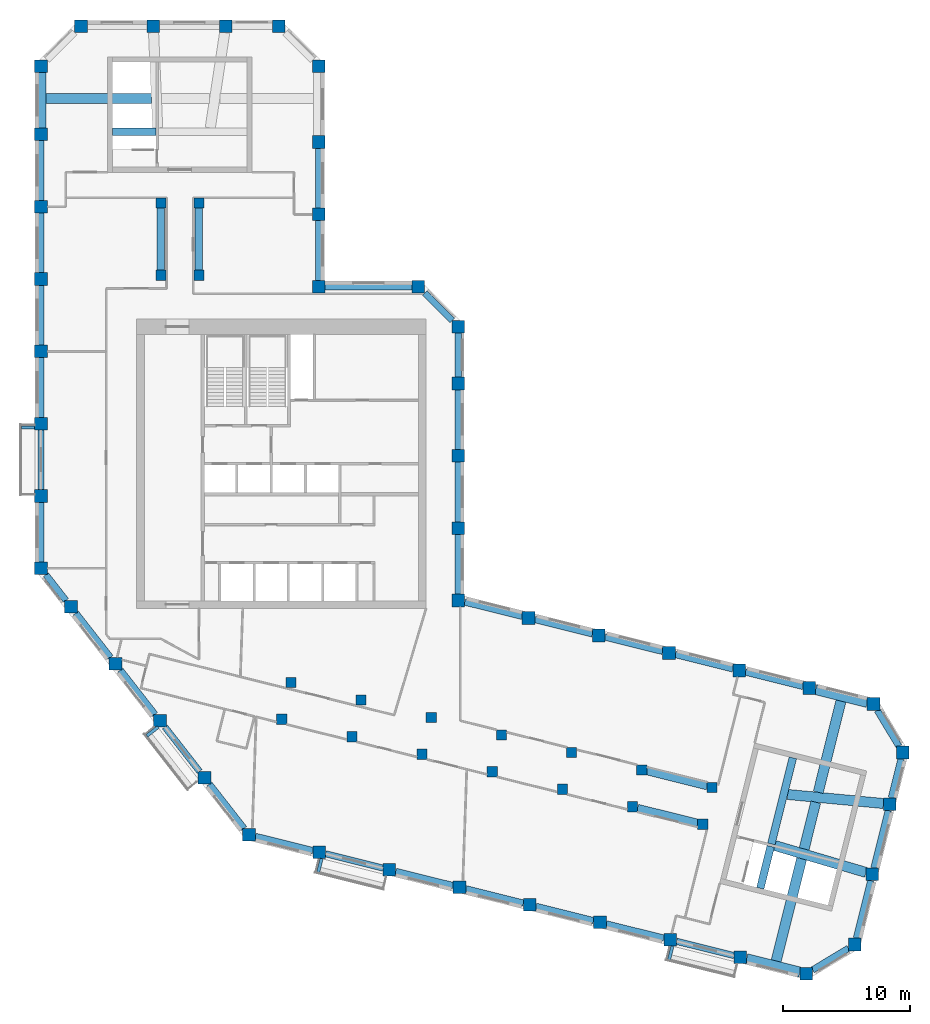
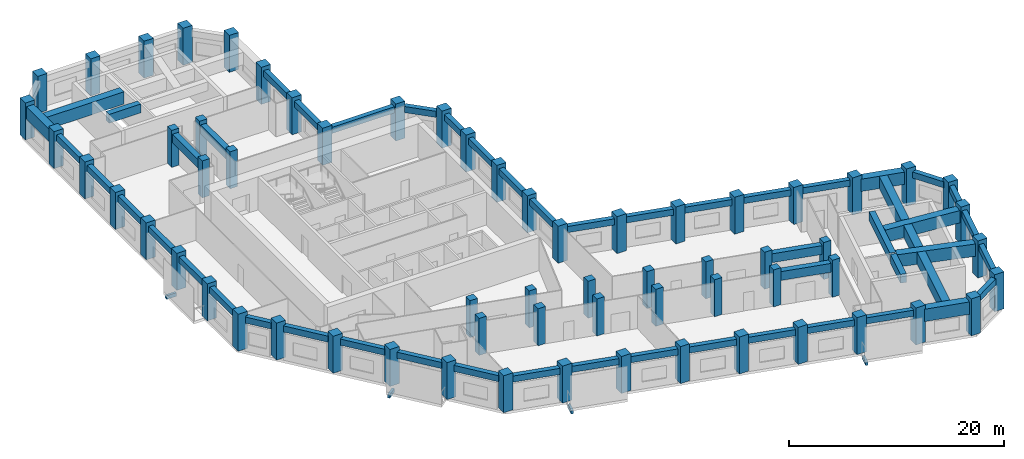
# One storey, part 1 of 9: 63 columns, 56 beams.
"""IFC4 building model written with IfcOpenShell, lengths in metres."""

from ifc_helpers import new_model, si_unit, direction, frame, origin, origin_2d, place, context, subcontext, project, spatial, rectangle, extrude, material, material_profile, profile_set, type_object, element, save


model = new_model("IFC4")

# Units and contexts
model_context = context("Model", 3, precision=1e-05, world=origin(), true_north=direction((0.0, 1.0)))
body_context = subcontext(model_context, "Body", "Model", "MODEL_VIEW")
ifc_project = project(units=[si_unit("LENGTHUNIT", "METRE"), si_unit("AREAUNIT", "SQUARE_METRE"), si_unit("VOLUMEUNIT", "CUBIC_METRE"), si_unit("PLANEANGLEUNIT", "RADIAN"), si_unit("MASSUNIT", "GRAM", prefix="KILO")], contexts=[model_context])

# Site, building, storey
site_placement = place(None, origin())
site = spatial("IfcSite", under=ifc_project, at=site_placement, CompositionType="ELEMENT")
building_placement = place(site_placement, origin())
building = spatial("IfcBuilding", under=site, at=building_placement, Name="Meshkara Civic Tower", CompositionType="ELEMENT")
storey_placement = place(building_placement, frame((0.0, 0.0, 344.39990234375)))
storey = spatial("IfcBuildingStorey", under=building, at=storey_placement, Name="L79", CompositionType="ELEMENT", Elevation=344.39990234375)

# Columns
ifc_material_1 = material(Name="Concrete C60", Category="concrete")
ifc_material_profile_1 = material_profile(ifc_material_1, rectangle(XDim=0.800048828125, YDim=0.800048828125, at=origin_2d()))
ifc_profile_set_1 = profile_set([ifc_material_profile_1], Name="Concrete C60")
column_type_1 = type_object("IfcColumnType", Name="Interior column RC 800x800 C60", PredefinedType="COLUMN", material=ifc_profile_set_1)
for number, where, z_axis, x_axis, name in (
    (1, (9.89990234375, 40.35009765625, 0.0), (0.0, 0.0, 1.0), (1.0, 0.0, 0.0), "Column SA1-04 L79"),
    (2, (9.89990234375, 46.050048828125, 0.0), (0.0, 0.0, 1.0), (1.0, 0.0, 0.0), "Column SA1-05 L79"),
    (3, (12.89990234375, 40.35009765625, 0.0), (0.0, 0.0, 1.0), (1.0, 0.0, 0.0), "Column SA2-04 L79"),
    (4, (12.89990234375, 46.050048828125, 0.0), (0.0, 0.0, 1.0), (1.0, 0.0, 0.0), "Column SA2-05 L79"),
    (5, (19.424072265625, 5.360107421875, 0.0), (0.0, 0.0, 1.0), (1.0, 0.0, 0.0), "Column SB1-00 L79"),
    (6, (24.9541015625, 3.98095703125, 0.0), (0.0, 0.0, 1.0), (1.0, 0.0, 0.0), "Column SB1-01 L79"),
    (7, (30.485107421875, 2.60205078125, 0.0), (0.0, 0.0, 1.0), (1.0, 0.0, 0.0), "Column SB1-02 L79"),
    (8, (36.01611328125, 1.222900390625, 0.0), (0.0, 0.0, 1.0), (1.0, 0.0, 0.0), "Column SB1-03 L79"),
    (9, (41.5458984375, -0.156005859375, 0.0), (0.0, 0.0, 1.0), (1.0, 0.0, 0.0), "Column SB1-04 L79"),
    (10, (47.076904296875, -1.534912109375, 0.0), (0.0, 0.0, 1.0), (1.0, 0.0, 0.0), "Column SB1-05 L79"),
    (11, (52.60791015625, -2.9140625, 0.0), (0.0, 0.0, 1.0), (1.0, 0.0, 0.0), "Column SB1-06 L79"),
    (12, (20.14892578125, 8.27099609375, 0.0), (0.0, 0.0, 1.0), (1.0, 0.0, 0.0), "Column SB2-00 L79"),
    (13, (25.679931640625, 6.89208984375, 0.0), (0.0, 0.0, 1.0), (1.0, 0.0, 0.0), "Column SB2-01 L79"),
    (14, (31.2109375, 5.512939453125, 0.0), (0.0, 0.0, 1.0), (1.0, 0.0, 0.0), "Column SB2-02 L79"),
    (15, (36.741943359375, 4.134033203125, 0.0), (0.0, 0.0, 1.0), (1.0, 0.0, 0.0), "Column SB2-03 L79"),
    (16, (42.27197265625, 2.7548828125, 0.0), (0.0, 0.0, 1.0), (1.0, 0.0, 0.0), "Column SB2-04 L79"),
    (17, (47.802978515625, 1.3759765625, 0.0), (0.0, 0.0, 1.0), (1.0, 0.0, 0.0), "Column SB2-05 L79"),
    (18, (53.333984375, -0.0029296875, 0.0), (0.0, 0.0, 1.0), (1.0, 0.0, 0.0), "Column SB2-06 L79"),
):
    element("IfcColumn", number, at=place(storey_placement, frame(where, z_axis=z_axis, x_axis=x_axis)), inside=storey, type_object=column_type_1, Name=name, PredefinedType="COLUMN", context=body_context, shape_type="SweptSolid", body=[
        extrude(rectangle(XDim=0.800048828125, YDim=0.800048828125, at=origin_2d()), origin(), (0.0, 0.0, 1.0), 4.2001953125),
    ])
ifc_material_2 = material(Name="Concrete C60", Category="concrete")
ifc_material_profile_2 = material_profile(ifc_material_2, rectangle(XDim=1.0, YDim=1.0, at=origin_2d()))
ifc_profile_set_2 = profile_set([ifc_material_profile_2], Name="Concrete C60")
column_type_2 = type_object("IfcColumnType", Name="Perimeter column RC 1000x1000 C60", PredefinedType="COLUMN", material=ifc_profile_set_2)
for number, where, z_axis, x_axis, name in (
    (19, (33.35009765625, 14.718994140625, 0.0), (0.0, 0.0, 1.0), (1.0, 0.0, 0.0), "Column HE00 L79"),
    (20, (33.35009765625, 20.4189453125, 0.0), (0.0, 0.0, 1.0), (1.0, 0.0, 0.0), "Column HE01 L79"),
    (21, (33.35009765625, 26.118896484375, 0.0), (0.0, 0.0, 1.0), (1.0, 0.0, 0.0), "Column HE02 L79"),
    (22, (33.35009765625, 31.819091796875, 0.0), (0.0, 0.0, 1.0), (1.0, 0.0, 0.0), "Column HE03 L79"),
    (23, (33.35009765625, 36.2939453125, 0.0), (0.0, 0.0, 1.0), (1.0, 0.0, 0.0), "Column HEE L79"),
    (24, (30.194091796875, 39.449951171875, 0.0), (0.0, 0.0, 1.0), (1.0, 0.0, 0.0), "Column HCeE L79"),
    (25, (22.35009765625, 39.449951171875, 0.0), (0.0, 0.0, 1.0), (1.0, 0.0, 0.0), "Column HN00 L79"),
    (26, (22.35009765625, 45.14990234375, 0.0), (0.0, 0.0, 1.0), (1.0, 0.0, 0.0), "Column AE01 L79"),
    (27, (22.35009765625, 50.85009765625, 0.0), (0.0, 0.0, 1.0), (1.0, 0.0, 0.0), "Column AE02 L79"),
    (28, (22.35009765625, 56.81396484375, 0.0), (0.0, 0.0, 1.0), (1.0, 0.0, 0.0), "Column AEEP4 L79"),
    (29, (19.194091796875, 59.969970703125, 0.0), (0.0, 0.0, 1.0), (1.0, 0.0, 0.0), "Column ATiEP4 L79"),
    (30, (3.60595703125, 59.969970703125, 0.0), (0.0, 0.0, 1.0), (1.0, 0.0, 0.0), "Column AT00-P4 L79"),
    (31, (9.305908203125, 59.969970703125, 0.0), (0.0, 0.0, 1.0), (1.0, 0.0, 0.0), "Column AT01-P4 L79"),
    (32, (15.006103515625, 59.969970703125, 0.0), (0.0, 0.0, 1.0), (1.0, 0.0, 0.0), "Column AT02-P4 L79"),
    (33, (0.449951171875, 56.81396484375, 0.0), (0.0, 0.0, 1.0), (1.0, 0.0, 0.0), "Column ATo00-P4 L79"),
    (34, (0.449951171875, 17.2548828125, 0.0), (0.0, 0.0, 1.0), (1.0, 0.0, 0.0), "Column AW00 L79"),
    (35, (0.449951171875, 22.955078125, 0.0), (0.0, 0.0, 1.0), (1.0, 0.0, 0.0), "Column AW01 L79"),
    (36, (0.449951171875, 28.655029296875, 0.0), (0.0, 0.0, 1.0), (1.0, 0.0, 0.0), "Column AW02 L79"),
    (37, (0.449951171875, 34.35498046875, 0.0), (0.0, 0.0, 1.0), (1.0, 0.0, 0.0), "Column AW03 L79"),
    (38, (0.449951171875, 40.054931640625, 0.0), (0.0, 0.0, 1.0), (1.0, 0.0, 0.0), "Column AW04 L79"),
    (39, (0.449951171875, 45.7548828125, 0.0), (0.0, 0.0, 1.0), (1.0, 0.0, 0.0), "Column AW05 L79"),
    (40, (0.449951171875, 51.455078125, 0.0), (0.0, 0.0, 1.0), (1.0, 0.0, 0.0), "Column AW06 L79"),
    (41, (16.85107421875, -3.738037109375, 0.0), (0.0, 0.0, 1.0), (1.0, 0.0, 0.0), "Column BOW00 L79"),
    (42, (13.342041015625, 0.75390625, 0.0), (0.0, 0.0, 1.0), (1.0, 0.0, 0.0), "Column BOW01 L79"),
    (43, (9.8330078125, 5.2451171875, 0.0), (0.0, 0.0, 1.0), (1.0, 0.0, 0.0), "Column BOW02 L79"),
    (44, (6.322998046875, 9.737060546875, 0.0), (0.0, 0.0, 1.0), (1.0, 0.0, 0.0), "Column BOW03 L79"),
    (45, (2.81396484375, 14.22900390625, 0.0), (0.0, 0.0, 1.0), (1.0, 0.0, 0.0), "Column BOW04 L79"),
    (46, (22.382080078125, -5.116943359375, 0.0), (0.0, 0.0, 1.0), (1.0, 0.0, 0.0), "Column BS01 L79"),
    (47, (27.912109375, -6.49609375, 0.0), (0.0, 0.0, 1.0), (1.0, 0.0, 0.0), "Column BS02 L79"),
    (48, (33.443115234375, -7.875, 0.0), (0.0, 0.0, 1.0), (1.0, 0.0, 0.0), "Column BS03 L79"),
    (49, (38.97412109375, -9.25390625, 0.0), (0.0, 0.0, 1.0), (1.0, 0.0, 0.0), "Column BS04 L79"),
    (50, (44.50390625, -10.633056640625, 0.0), (0.0, 0.0, 1.0), (1.0, 0.0, 0.0), "Column BS05-P4 L79"),
    (51, (50.034912109375, -12.011962890625, 0.0), (0.0, 0.0, 1.0), (1.0, 0.0, 0.0), "Column BS06-P4 L79"),
    (52, (55.56591796875, -13.389892578125, 0.0), (0.0, 0.0, 1.0), (1.0, 0.0, 0.0), "Column BS07 L79"),
    (53, (60.76611328125, -14.68701171875, 0.0), (0.0, 0.0, 1.0), (1.0, 0.0, 0.0), "Column BSEP4 L79"),
    (54, (64.591064453125, -12.386962890625, 0.0), (0.0, 0.0, 1.0), (1.0, 0.0, 0.0), "Column BToEP4 L79"),
    (55, (65.969970703125, -6.85595703125, 0.0), (0.0, 0.0, 1.0), (1.0, 0.0, 0.0), "Column BT01-P4 L79"),
    (56, (67.34912109375, -1.325927734375, 0.0), (0.0, 0.0, 1.0), (1.0, 0.0, 0.0), "Column BT02-P4 L79"),
    (57, (68.362060546875, 2.736083984375, 0.0), (0.0, 0.0, 1.0), (1.0, 0.0, 0.0), "Column BTEP4 L79"),
    (58, (66.06298828125, 6.56201171875, 0.0), (0.0, 0.0, 1.0), (1.0, 0.0, 0.0), "Column BTi00-P4 L79"),
    (59, (38.881103515625, 13.340087890625, 0.0), (0.0, 0.0, 1.0), (1.0, 0.0, 0.0), "Column BN01 L79"),
    (60, (44.410888671875, 11.9609375, 0.0), (0.0, 0.0, 1.0), (1.0, 0.0, 0.0), "Column BN02 L79"),
    (61, (49.94189453125, 10.58203125, 0.0), (0.0, 0.0, 1.0), (1.0, 0.0, 0.0), "Column BN03 L79"),
    (62, (55.472900390625, 9.202880859375, 0.0), (0.0, 0.0, 1.0), (1.0, 0.0, 0.0), "Column BN04 L79"),
    (63, (61.0029296875, 7.823974609375, 0.0), (0.0, 0.0, 1.0), (1.0, 0.0, 0.0), "Column BN05 L79"),
):
    element("IfcColumn", number, at=place(storey_placement, frame(where, z_axis=z_axis, x_axis=x_axis)), inside=storey, type_object=column_type_2, Name=name, PredefinedType="COLUMN", context=body_context, shape_type="SweptSolid", body=[
        extrude(rectangle(XDim=1.0, YDim=1.0, at=origin_2d()), origin(), (0.0, 0.0, 1.0), 4.2001953125),
    ])

# Beams
ifc_material_3 = material(Name="Concrete C50", Category="concrete")
ifc_material_profile_3 = material_profile(ifc_material_3, rectangle(XDim=0.25, YDim=0.39990234375, at=origin_2d()))
ifc_profile_set_3 = profile_set([ifc_material_profile_3], Name="Concrete C50")
beam_type_1 = type_object("IfcBeamType", Name="Balcony bracket beam RC 250x400 C50", PredefinedType="BEAM", material=ifc_profile_set_3)
beam_1_placement = place(storey_placement, frame((-0.044921875, 28.35498046875, -0.5), z_axis=(-1.0, 0.0, 0.0), x_axis=(0.0, -1.0, 0.0)))
element("IfcBeam", 64, at=beam_1_placement, inside=storey, type_object=beam_type_1, Name="Balcony bracket beam", PredefinedType="BEAM", context=body_context, shape_type="SweptSolid", body=[
    extrude(rectangle(XDim=0.25, YDim=0.39990234375, at=origin_2d()), origin(), (0.0, 0.0, 1.0), 1.05517578125),
])
beam_2_placement = place(storey_placement, frame((9.68408203125, 4.748046875, -0.5), z_axis=(-0.787938992743, -0.61575331401, 0.0), x_axis=(0.61575331401, -0.787938992743, 0.0)))
element("IfcBeam", 65, at=beam_2_placement, inside=storey, type_object=beam_type_1, Name="Balcony bracket beam", PredefinedType="BEAM", context=body_context, shape_type="SweptSolid", body=[
    extrude(rectangle(XDim=0.25, YDim=0.39990234375, at=origin_2d()), origin(), (0.0, 0.0, 1.0), 1.127197265625),
])
beam_3_placement = place(storey_placement, frame((22.568115234375, -5.612060546875, -0.5), z_axis=(-0.242329403705, -0.970194032192, 0.0), x_axis=(0.970194032192, -0.242329403705, 0.0)))
element("IfcBeam", 66, at=beam_3_placement, inside=storey, type_object=beam_type_1, Name="Balcony bracket beam", PredefinedType="BEAM", context=body_context, shape_type="SweptSolid", body=[
    extrude(rectangle(XDim=0.25, YDim=0.39990234375, at=origin_2d()), origin(), (0.0, 0.0, 1.0), 1.1142578125),
])
beam_4_placement = place(storey_placement, frame((50.220947265625, -12.507080078125, -0.5), z_axis=(-0.24238092718, -0.970181161505, 0.0), x_axis=(0.970181161505, -0.24238092718, 0.0)))
element("IfcBeam", 67, at=beam_4_placement, inside=storey, type_object=beam_type_1, Name="Balcony bracket beam", PredefinedType="BEAM", context=body_context, shape_type="SweptSolid", body=[
    extrude(rectangle(XDim=0.25, YDim=0.39990234375, at=origin_2d()), origin(), (0.0, 0.0, 1.0), 1.114013671875),
])
ifc_material_4 = material(Name="Concrete C60", Category="concrete")
ifc_material_profile_4 = material_profile(ifc_material_4, rectangle(XDim=0.60009765625, YDim=1.0, at=origin_2d()))
ifc_profile_set_4 = profile_set([ifc_material_profile_4], Name="Concrete C60")
beam_type_2 = type_object("IfcBeamType", Name="Core transfer beam RC 600x1000 C60", PredefinedType="BEAM", material=ifc_profile_set_4)
for number, where, z_axis, x_axis, name in (
    (68, (9.89990234375, 40.75, 3.25), (0.0, 1.0, 0.0), (-1.0, 0.0, 0.0), "Transfer beam A L80 core-side wall"),
    (69, (12.89990234375, 40.75, 3.25), (0.0, 1.0, 0.0), (-1.0, 0.0, 0.0), "Transfer beam A L80 core-side wall"),
):
    element("IfcBeam", number, at=place(storey_placement, frame(where, z_axis=z_axis, x_axis=x_axis)), inside=storey, type_object=beam_type_2, Name=name, PredefinedType="BEAM", context=body_context, shape_type="SweptSolid", body=[
        extrude(rectangle(XDim=0.60009765625, YDim=1.0, at=origin_2d()), origin(), (0.0, 0.0, 1.0), 4.89990234375),
    ])
beam_5_placement = place(storey_placement, frame((6.10009765625, 51.669921875, 3.25), z_axis=(1.0, 0.0, 0.0), x_axis=(0.0, 1.0, 0.0)))
element("IfcBeam", 70, at=beam_5_placement, inside=storey, type_object=beam_type_2, Name="Transfer beam A L80 tip-side wall", PredefinedType="BEAM", context=body_context, shape_type="SweptSolid", body=[
    extrude(rectangle(XDim=0.60009765625, YDim=1.0, at=origin_2d()), origin(), (0.0, 0.0, 1.0), 3.39990234375),
])
beam_6_placement = place(storey_placement, frame((47.465087890625, -1.632080078125, 3.25), z_axis=(0.97032977454, -0.241785294508, 0.0), x_axis=(0.241785294508, 0.97032977454, 0.0)))
element("IfcBeam", 71, at=beam_6_placement, inside=storey, type_object=beam_type_2, Name="Transfer beam B L80 core-side wall", PredefinedType="BEAM", context=body_context, shape_type="SweptSolid", body=[
    extrude(rectangle(XDim=0.60009765625, YDim=1.0, at=origin_2d()), origin(), (0.0, 0.0, 1.0), 4.900390625),
])
beam_7_placement = place(storey_placement, frame((48.19091796875, 1.279052734375, 3.25), z_axis=(0.970320998251, -0.241820512682, 0.0), x_axis=(0.241820512682, 0.970320998251, 0.0)))
element("IfcBeam", 72, at=beam_7_placement, inside=storey, type_object=beam_type_2, Name="Transfer beam B L80 core-side wall", PredefinedType="BEAM", context=body_context, shape_type="SweptSolid", body=[
    extrude(rectangle(XDim=0.60009765625, YDim=1.0, at=origin_2d()), origin(), (0.0, 0.0, 1.0), 4.900634765625),
])
beam_8_placement = place(storey_placement, frame((57.14208984375, -7.9599609375, 3.25), z_axis=(0.24177523778, 0.970332280405, 0.0), x_axis=(-0.970332280405, 0.24177523778, 0.0)))
element("IfcBeam", 73, at=beam_8_placement, inside=storey, type_object=beam_type_2, Name="Transfer beam B L80 tip-side wall", PredefinedType="BEAM", context=body_context, shape_type="SweptSolid", body=[
    extrude(rectangle(XDim=0.60009765625, YDim=1.0, at=origin_2d()), origin(), (0.0, 0.0, 1.0), 3.39990234375),
])
beam_9_placement = place(storey_placement, frame((58.012939453125, -4.467041015625, 3.25), z_axis=(0.241879042136, 0.970306409839, 0.0), x_axis=(-0.970306409839, 0.241879042136, 0.0)))
element("IfcBeam", 74, at=beam_9_placement, inside=storey, type_object=beam_type_2, Name="Transfer beam B L80 tip-side wall", PredefinedType="BEAM", context=body_context, shape_type="SweptSolid", body=[
    extrude(rectangle(XDim=0.60009765625, YDim=1.0, at=origin_2d()), origin(), (0.0, 0.0, 1.0), 6.999755859375),
])
ifc_material_5 = material(Name="Concrete C50", Category="concrete")
ifc_material_profile_5 = material_profile(ifc_material_5, rectangle(XDim=0.5, YDim=0.699951171875, at=origin_2d()))
ifc_profile_set_5 = profile_set([ifc_material_profile_5], Name="Concrete C50")
beam_type_3 = type_object("IfcBeamType", Name="Spandrel beam RC 500x700 C50", PredefinedType="BEAM", material=ifc_profile_set_5)
beam_10_placement = place(storey_placement, frame((60.5078125, 7.947509765625, 3.400146484375), z_axis=(-0.970286590806, 0.241958533023, 0.0), x_axis=(-0.241958533023, -0.970286590806, 0.0)))
element("IfcBeam", 75, at=beam_10_placement, inside=storey, type_object=beam_type_3, Name="Spandrel beam BN04-BN05", PredefinedType="BEAM", context=body_context, shape_type="SweptSolid", body=[
    extrude(rectangle(XDim=0.5, YDim=0.699951171875, at=origin_2d()), origin(), (0.0, 0.0, 1.0), 4.6787109375),
])
beam_11_placement = place(storey_placement, frame((54.977783203125, 9.326416015625, 3.400146484375), z_axis=(-0.970298806378, 0.241909541651, 0.0), x_axis=(-0.241909541651, -0.970298806378, 0.0)))
element("IfcBeam", 76, at=beam_11_placement, inside=storey, type_object=beam_type_3, Name="Spandrel beam BN03-BN04", PredefinedType="BEAM", context=body_context, shape_type="SweptSolid", body=[
    extrude(rectangle(XDim=0.5, YDim=0.699951171875, at=origin_2d()), origin(), (0.0, 0.0, 1.0), 4.6796875),
])
beam_12_placement = place(storey_placement, frame((49.447021484375, 10.70556640625, 3.400146484375), z_axis=(-0.970314102262, 0.241848181618, 0.0), x_axis=(-0.241848181618, -0.970314102262, 0.0)))
element("IfcBeam", 77, at=beam_12_placement, inside=storey, type_object=beam_type_3, Name="Spandrel beam BN02-BN03", PredefinedType="BEAM", context=body_context, shape_type="SweptSolid", body=[
    extrude(rectangle(XDim=0.5, YDim=0.699951171875, at=origin_2d()), origin(), (0.0, 0.0, 1.0), 4.679931640625),
])
beam_13_placement = place(storey_placement, frame((43.916015625, 12.08447265625, 3.400146484375), z_axis=(-0.970286590806, 0.241958533023, 0.0), x_axis=(-0.241958533023, -0.970286590806, 0.0)))
element("IfcBeam", 78, at=beam_13_placement, inside=storey, type_object=beam_type_3, Name="Spandrel beam BN01-BN02", PredefinedType="BEAM", context=body_context, shape_type="SweptSolid", body=[
    extrude(rectangle(XDim=0.5, YDim=0.699951171875, at=origin_2d()), origin(), (0.0, 0.0, 1.0), 4.6787109375),
])
beam_14_placement = place(storey_placement, frame((38.385986328125, 13.46337890625, 3.400146484375), z_axis=(-0.970298806378, 0.241909541651, 0.0), x_axis=(-0.241909541651, -0.970298806378, 0.0)))
element("IfcBeam", 79, at=beam_14_placement, inside=storey, type_object=beam_type_3, Name="Spandrel beam BN01-HE00", PredefinedType="BEAM", context=body_context, shape_type="SweptSolid", body=[
    extrude(rectangle(XDim=0.5, YDim=0.699951171875, at=origin_2d()), origin(), (0.0, 0.0, 1.0), 4.6796875),
])
for number, where, z_axis, x_axis, name in (
    (80, (33.35009765625, 15.214111328125, 3.400146484375), (0.0, 1.0, 0.0), (-1.0, 0.0, 0.0), "Spandrel beam HE00-HE01"),
    (81, (33.35009765625, 20.9140625, 3.400146484375), (0.0, 1.0, 0.0), (-1.0, 0.0, 0.0), "Spandrel beam HE01-HE02"),
    (82, (33.35009765625, 26.614013671875, 3.400146484375), (0.0, 1.0, 0.0), (-1.0, 0.0, 0.0), "Spandrel beam HE02-HE03"),
):
    element("IfcBeam", number, at=place(storey_placement, frame(where, z_axis=z_axis, x_axis=x_axis)), inside=storey, type_object=beam_type_3, Name=name, PredefinedType="BEAM", context=body_context, shape_type="SweptSolid", body=[
        extrude(rectangle(XDim=0.5, YDim=0.699951171875, at=origin_2d()), origin(), (0.0, 0.0, 1.0), 4.7099609375),
    ])
beam_15_placement = place(storey_placement, frame((33.35009765625, 32.31396484375, 3.400146484375), z_axis=(0.0, 1.0, 0.0), x_axis=(-1.0, 0.0, 0.0)))
element("IfcBeam", 83, at=beam_15_placement, inside=storey, type_object=beam_type_3, Name="Spandrel beam HE03-HEE", PredefinedType="BEAM", context=body_context, shape_type="SweptSolid", body=[
    extrude(rectangle(XDim=0.5, YDim=0.699951171875, at=origin_2d()), origin(), (0.0, 0.0, 1.0), 3.485107421875),
])
beam_16_placement = place(storey_placement, frame((32.853515625, 36.79052734375, 3.400146484375), z_axis=(-0.707106781187, 0.707106781187, 0.0), x_axis=(-0.707106781187, -0.707106781187, 0.0)))
element("IfcBeam", 84, at=beam_16_placement, inside=storey, type_object=beam_type_3, Name="Spandrel beam HCeE-HEE", PredefinedType="BEAM", context=body_context, shape_type="SweptSolid", body=[
    extrude(rectangle(XDim=0.5, YDim=0.699951171875, at=origin_2d()), origin(), (0.0, 0.0, 1.0), 3.05908203125),
])
beam_17_placement = place(storey_placement, frame((29.698974609375, 39.449951171875, 3.400146484375), z_axis=(-1.0, 0.0, 0.0), x_axis=(0.0, -1.0, 0.0)))
element("IfcBeam", 85, at=beam_17_placement, inside=storey, type_object=beam_type_3, Name="Spandrel beam HCeE-HN00", PredefinedType="BEAM", context=body_context, shape_type="SweptSolid", body=[
    extrude(rectangle(XDim=0.5, YDim=0.699951171875, at=origin_2d()), origin(), (0.0, 0.0, 1.0), 6.85400390625),
])
for number, where, z_axis, x_axis, name in (
    (86, (22.35009765625, 39.945068359375, 3.400146484375), (0.0, 1.0, 0.0), (-1.0, 0.0, 0.0), "Spandrel beam AE01-HN00"),
    (87, (22.35009765625, 45.64501953125, 3.400146484375), (0.0, 1.0, 0.0), (-1.0, 0.0, 0.0), "Spandrel beam AE01-AE02"),
    (88, (0.449951171875, 50.9599609375, 3.400146484375), (0.0, -1.0, 0.0), (1.0, 0.0, 0.0), "Spandrel beam AW05-AW06"),
    (89, (0.449951171875, 45.260009765625, 3.400146484375), (0.0, -1.0, 0.0), (1.0, 0.0, 0.0), "Spandrel beam AW04-AW05"),
    (90, (0.449951171875, 39.56005859375, 3.400146484375), (0.0, -1.0, 0.0), (1.0, 0.0, 0.0), "Spandrel beam AW03-AW04"),
):
    element("IfcBeam", number, at=place(storey_placement, frame(where, z_axis=z_axis, x_axis=x_axis)), inside=storey, type_object=beam_type_3, Name=name, PredefinedType="BEAM", context=body_context, shape_type="SweptSolid", body=[
        extrude(rectangle(XDim=0.5, YDim=0.699951171875, at=origin_2d()), origin(), (0.0, 0.0, 1.0), 4.7099609375),
    ])
beam_18_placement = place(storey_placement, frame((0.449951171875, 33.860107421875, 3.400146484375), z_axis=(0.0, -1.0, 0.0), x_axis=(1.0, 0.0, 0.0)))
element("IfcBeam", 91, at=beam_18_placement, inside=storey, type_object=beam_type_3, Name="Spandrel beam AW02-AW03", PredefinedType="BEAM", context=body_context, shape_type="SweptSolid", body=[
    extrude(rectangle(XDim=0.5, YDim=0.699951171875, at=origin_2d()), origin(), (0.0, 0.0, 1.0), 4.710205078125),
])
for number, where, z_axis, x_axis, name in (
    (92, (0.449951171875, 28.159912109375, 3.400146484375), (0.0, -1.0, 0.0), (1.0, 0.0, 0.0), "Spandrel beam AW01-AW02"),
    (93, (0.449951171875, 22.4599609375, 3.400146484375), (0.0, -1.0, 0.0), (1.0, 0.0, 0.0), "Spandrel beam AW00-AW01"),
):
    element("IfcBeam", number, at=place(storey_placement, frame(where, z_axis=z_axis, x_axis=x_axis)), inside=storey, type_object=beam_type_3, Name=name, PredefinedType="BEAM", context=body_context, shape_type="SweptSolid", body=[
        extrude(rectangle(XDim=0.5, YDim=0.699951171875, at=origin_2d()), origin(), (0.0, 0.0, 1.0), 4.7099609375),
    ])
beam_19_placement = place(storey_placement, frame((0.83740234375, 16.7587890625, 3.400146484375), z_axis=(0.615713794912, -0.787969874269, 0.0), x_axis=(0.787969874269, 0.615713794912, 0.0)))
element("IfcBeam", 94, at=beam_19_placement, inside=storey, type_object=beam_type_3, Name="Spandrel beam AW00-BOW04", PredefinedType="BEAM", context=body_context, shape_type="SweptSolid", body=[
    extrude(rectangle(XDim=0.5, YDim=0.699951171875, at=origin_2d()), origin(), (0.0, 0.0, 1.0), 2.580810546875),
])
beam_20_placement = place(storey_placement, frame((3.201416015625, 13.73291015625, 3.400146484375), z_axis=(0.615636574491, -0.788030207637, 0.0), x_axis=(0.788030207637, 0.615636574491, 0.0)))
element("IfcBeam", 95, at=beam_20_placement, inside=storey, type_object=beam_type_3, Name="Spandrel beam BOW03-BOW04", PredefinedType="BEAM", context=body_context, shape_type="SweptSolid", body=[
    extrude(rectangle(XDim=0.5, YDim=0.699951171875, at=origin_2d()), origin(), (0.0, 0.0, 1.0), 4.441162109375),
])
beam_21_placement = place(storey_placement, frame((6.710693359375, 9.240966796875, 3.400146484375), z_axis=(0.615704842432, -0.787976869588, 0.0), x_axis=(0.787976869588, 0.615704842432, 0.0)))
element("IfcBeam", 96, at=beam_21_placement, inside=storey, type_object=beam_type_3, Name="Spandrel beam BOW02-BOW03", PredefinedType="BEAM", context=body_context, shape_type="SweptSolid", body=[
    extrude(rectangle(XDim=0.5, YDim=0.699951171875, at=origin_2d()), origin(), (0.0, 0.0, 1.0), 4.44140625),
])
beam_22_placement = place(storey_placement, frame((10.220703125, 4.748779296875, 3.400146484375), z_axis=(0.615674985547, -0.788000198078, 0.0), x_axis=(0.788000198078, 0.615674985547, 0.0)))
element("IfcBeam", 97, at=beam_22_placement, inside=storey, type_object=beam_type_3, Name="Spandrel beam BOW01-BOW02", PredefinedType="BEAM", context=body_context, shape_type="SweptSolid", body=[
    extrude(rectangle(XDim=0.5, YDim=0.699951171875, at=origin_2d()), origin(), (0.0, 0.0, 1.0), 4.440185546875),
])
beam_23_placement = place(storey_placement, frame((13.7294921875, 0.2578125, 3.400146484375), z_axis=(0.615602435322, -0.788056877151, 0.0), x_axis=(0.788056877151, 0.615602435322, 0.0)))
element("IfcBeam", 98, at=beam_23_placement, inside=storey, type_object=beam_type_3, Name="Spandrel beam BOW00-BOW01", PredefinedType="BEAM", context=body_context, shape_type="SweptSolid", body=[
    extrude(rectangle(XDim=0.5, YDim=0.699951171875, at=origin_2d()), origin(), (0.0, 0.0, 1.0), 4.44091796875),
])
beam_24_placement = place(storey_placement, frame((17.34619140625, -3.861572265625, 3.400146484375), z_axis=(0.970311050729, -0.24186042428, 0.0), x_axis=(0.24186042428, 0.970311050729, 0.0)))
element("IfcBeam", 99, at=beam_24_placement, inside=storey, type_object=beam_type_3, Name="Spandrel beam BOW00-BS01", PredefinedType="BEAM", context=body_context, shape_type="SweptSolid", body=[
    extrude(rectangle(XDim=0.5, YDim=0.699951171875, at=origin_2d()), origin(), (0.0, 0.0, 1.0), 4.6796875),
])
beam_25_placement = place(storey_placement, frame((22.877197265625, -5.240478515625, 3.400146484375), z_axis=(0.970286590806, -0.241958533023, 0.0), x_axis=(0.241958533023, 0.970286590806, 0.0)))
element("IfcBeam", 100, at=beam_25_placement, inside=storey, type_object=beam_type_3, Name="Spandrel beam BS01-BS02", PredefinedType="BEAM", context=body_context, shape_type="SweptSolid", body=[
    extrude(rectangle(XDim=0.5, YDim=0.699951171875, at=origin_2d()), origin(), (0.0, 0.0, 1.0), 4.6787109375),
])
for number, where, z_axis, x_axis, name in (
    (101, (28.406982421875, -6.619384765625, 3.400146484375), (0.970301859111, -0.241897296812, 0.0), (0.241897296812, 0.970301859111, 0.0), "Spandrel beam BS02-BS03"),
    (102, (33.93798828125, -7.99853515625, 3.400146484375), (0.970301859111, -0.241897296812, 0.0), (0.241897296812, 0.970301859111, 0.0), "Spandrel beam BS03-BS04"),
):
    element("IfcBeam", number, at=place(storey_placement, frame(where, z_axis=z_axis, x_axis=x_axis)), inside=storey, type_object=beam_type_3, Name=name, PredefinedType="BEAM", context=body_context, shape_type="SweptSolid", body=[
        extrude(rectangle(XDim=0.5, YDim=0.699951171875, at=origin_2d()), origin(), (0.0, 0.0, 1.0), 4.679931640625),
    ])
beam_26_placement = place(storey_placement, frame((39.468994140625, -9.37744140625, 3.400146484375), z_axis=(0.970286590806, -0.241958533023, 0.0), x_axis=(0.241958533023, 0.970286590806, 0.0)))
element("IfcBeam", 103, at=beam_26_placement, inside=storey, type_object=beam_type_3, Name="Spandrel beam BS04-BS05-P4", PredefinedType="BEAM", context=body_context, shape_type="SweptSolid", body=[
    extrude(rectangle(XDim=0.5, YDim=0.699951171875, at=origin_2d()), origin(), (0.0, 0.0, 1.0), 4.6787109375),
])
beam_27_placement = place(storey_placement, frame((44.9990234375, -10.756591796875, 3.400146484375), z_axis=(0.970311050729, -0.24186042428, 0.0), x_axis=(0.24186042428, 0.970311050729, 0.0)))
element("IfcBeam", 104, at=beam_27_placement, inside=storey, type_object=beam_type_3, Name="Spandrel beam BS05-P4-BS06-P4", PredefinedType="BEAM", context=body_context, shape_type="SweptSolid", body=[
    extrude(rectangle(XDim=0.5, YDim=0.699951171875, at=origin_2d()), origin(), (0.0, 0.0, 1.0), 4.6796875),
])
beam_28_placement = place(storey_placement, frame((50.530029296875, -12.135498046875, 3.400146484375), z_axis=(0.970347770718, -0.241713061011, 0.0), x_axis=(0.241713061011, 0.970347770718, 0.0)))
element("IfcBeam", 105, at=beam_28_placement, inside=storey, type_object=beam_type_3, Name="Spandrel beam BS06-P4-BS07", PredefinedType="BEAM", context=body_context, shape_type="SweptSolid", body=[
    extrude(rectangle(XDim=0.5, YDim=0.699951171875, at=origin_2d()), origin(), (0.0, 0.0, 1.0), 4.679443359375),
])
beam_29_placement = place(storey_placement, frame((61.26171875, -14.388916015625, 3.400146484375), z_axis=(0.856990838189, 0.515331643953, 0.0), x_axis=(-0.515331643953, 0.856990838189, 0.0)))
element("IfcBeam", 106, at=beam_29_placement, inside=storey, type_object=beam_type_3, Name="Spandrel beam BSEP4-BToEP4", PredefinedType="BEAM", context=body_context, shape_type="SweptSolid", body=[
    extrude(rectangle(XDim=0.5, YDim=0.699951171875, at=origin_2d()), origin(), (0.0, 0.0, 1.0), 3.306396484375),
])
beam_30_placement = place(storey_placement, frame((64.714599609375, -11.891845703125, 3.400146484375), z_axis=(0.24186042428, 0.970311050729, 0.0), x_axis=(-0.970311050729, 0.24186042428, 0.0)))
element("IfcBeam", 107, at=beam_30_placement, inside=storey, type_object=beam_type_3, Name="Spandrel beam BT01-P4-BToEP4", PredefinedType="BEAM", context=body_context, shape_type="SweptSolid", body=[
    extrude(rectangle(XDim=0.5, YDim=0.699951171875, at=origin_2d()), origin(), (0.0, 0.0, 1.0), 4.6796875),
])
beam_31_placement = place(storey_placement, frame((66.093505859375, -6.36083984375, 3.400146484375), z_axis=(0.241958533023, 0.970286590806, 0.0), x_axis=(-0.970286590806, 0.241958533023, 0.0)))
element("IfcBeam", 108, at=beam_31_placement, inside=storey, type_object=beam_type_3, Name="Spandrel beam BT01-P4-BT02-P4", PredefinedType="BEAM", context=body_context, shape_type="SweptSolid", body=[
    extrude(rectangle(XDim=0.5, YDim=0.699951171875, at=origin_2d()), origin(), (0.0, 0.0, 1.0), 4.6787109375),
])
beam_32_placement = place(storey_placement, frame((67.472412109375, -0.830810546875, 3.400146484375), z_axis=(0.241991235859, 0.970278435176, 0.0), x_axis=(-0.970278435176, 0.241991235859, 0.0)))
element("IfcBeam", 109, at=beam_32_placement, inside=storey, type_object=beam_type_3, Name="Spandrel beam BT02-P4-BTEP4", PredefinedType="BEAM", context=body_context, shape_type="SweptSolid", body=[
    extrude(rectangle(XDim=0.5, YDim=0.699951171875, at=origin_2d()), origin(), (0.0, 0.0, 1.0), 3.165771484375),
])
beam_33_placement = place(storey_placement, frame((68.064208984375, 3.231689453125, 3.400146484375), z_axis=(-0.515060169575, 0.8571540245, 0.0), x_axis=(-0.8571540245, -0.515060169575, 0.0)))
element("IfcBeam", 110, at=beam_33_placement, inside=storey, type_object=beam_type_3, Name="Spandrel beam BTEP4-BTi00-P4", PredefinedType="BEAM", context=body_context, shape_type="SweptSolid", body=[
    extrude(rectangle(XDim=0.5, YDim=0.699951171875, at=origin_2d()), origin(), (0.0, 0.0, 1.0), 3.30712890625),
])
ifc_material_6 = material(Name="Concrete C70", Category="concrete")
ifc_material_profile_6 = material_profile(ifc_material_6, rectangle(XDim=0.800048828125, YDim=1.39990234375, at=origin_2d()))
ifc_profile_set_6 = profile_set([ifc_material_profile_6], Name="Concrete C70")
beam_type_4 = type_object("IfcBeamType", Name="Transfer girder RC 800x1400 C70", PredefinedType="BEAM", material=ifc_profile_set_6)
beam_34_placement = place(storey_placement, frame((0.449951171875, 51.949951171875, 3.050048828125), z_axis=(0.0, 1.0, 0.0), x_axis=(-1.0, 0.0, 0.0)))
element("IfcBeam", 111, at=beam_34_placement, inside=storey, type_object=beam_type_4, Name="Transfer girder ATo00-P4-AW06", PredefinedType="BEAM", context=body_context, shape_type="SweptSolid", body=[
    extrude(rectangle(XDim=0.800048828125, YDim=1.39990234375, at=origin_2d()), origin(), (0.0, 0.0, 1.0), 4.369140625),
])
beam_35_placement = place(storey_placement, frame((0.85009765625, 54.27001953125, 3.050048828125), z_axis=(1.0, 0.0, 0.0), x_axis=(0.0, 1.0, 0.0)))
element("IfcBeam", 112, at=beam_35_placement, inside=storey, type_object=beam_type_4, Name="Transfer girder tip A L80", PredefinedType="BEAM", context=body_context, shape_type="SweptSolid", body=[
    extrude(rectangle(XDim=0.800048828125, YDim=1.39990234375, at=origin_2d()), origin(), (0.0, 0.0, 1.0), 8.299072265625),
])
beam_36_placement = place(storey_placement, frame((61.498046875, 7.700439453125, 3.050048828125), z_axis=(0.970286131512, -0.241960374847, 0.0), x_axis=(0.241960374847, 0.970286131512, 0.0)))
element("IfcBeam", 113, at=beam_36_placement, inside=storey, type_object=beam_type_4, Name="Transfer girder BN05-BTi00-P4", PredefinedType="BEAM", context=body_context, shape_type="SweptSolid", body=[
    extrude(rectangle(XDim=0.800048828125, YDim=1.39990234375, at=origin_2d()), origin(), (0.0, 0.0, 1.0), 4.1943359375),
])
beam_37_placement = place(storey_placement, frame((56.06103515625, -13.513427734375, 3.050048828125), z_axis=(0.970274749447, -0.242006013533, 0.0), x_axis=(0.242006013533, 0.970274749447, 0.0)))
element("IfcBeam", 114, at=beam_37_placement, inside=storey, type_object=beam_type_4, Name="Transfer girder BS07-BSEP4", PredefinedType="BEAM", context=body_context, shape_type="SweptSolid", body=[
    extrude(rectangle(XDim=0.800048828125, YDim=1.39990234375, at=origin_2d()), origin(), (0.0, 0.0, 1.0), 4.3388671875),
])
beam_38_placement = place(storey_placement, frame((58.291015625, -4.590576171875, 3.050048828125), z_axis=(0.959130563459, -0.282963888577, 0.0), x_axis=(0.282963888577, 0.959130563459, 0.0)))
element("IfcBeam", 115, at=beam_38_placement, inside=storey, type_object=beam_type_4, Name="Transfer girder BT01-P4-SB1-06", PredefinedType="BEAM", context=body_context, shape_type="SweptSolid", body=[
    extrude(rectangle(XDim=0.800048828125, YDim=1.39990234375, at=origin_2d()), origin(), (0.0, 0.0, 1.0), 7.489990234375),
])
beam_39_placement = place(storey_placement, frame((59.294677734375, -0.565673828125, 3.050048828125), z_axis=(0.995573600997, -0.093985131793, 0.0), x_axis=(0.093985131793, 0.995573600997, 0.0)))
element("IfcBeam", 116, at=beam_39_placement, inside=storey, type_object=beam_type_4, Name="Transfer girder BT02-P4-SB2-06", PredefinedType="BEAM", context=body_context, shape_type="SweptSolid", body=[
    extrude(rectangle(XDim=0.800048828125, YDim=1.39990234375, at=origin_2d()), origin(), (0.0, 0.0, 1.0), 7.593017578125),
])
beam_40_placement = place(storey_placement, frame((58.394287109375, -13.68310546875, 3.050048828125), z_axis=(0.241947258837, 0.970289402158, 0.0), x_axis=(-0.970289402158, 0.241947258837, 0.0)))
element("IfcBeam", 117, at=beam_40_placement, inside=storey, type_object=beam_type_4, Name="Transfer girder tip B L80", PredefinedType="BEAM", context=body_context, shape_type="SweptSolid", body=[
    extrude(rectangle(XDim=0.800048828125, YDim=1.39990234375, at=origin_2d()), origin(), (0.0, 0.0, 1.0), 8.299560546875),
])
beam_41_placement = place(storey_placement, frame((60.595703125, -4.85400390625, 3.050048828125), z_axis=(0.241929995817, 0.970293706629, 0.0), x_axis=(-0.970293706629, 0.241929995817, 0.0)))
element("IfcBeam", 118, at=beam_41_placement, inside=storey, type_object=beam_type_4, Name="Transfer girder tip B L80", PredefinedType="BEAM", context=body_context, shape_type="SweptSolid", body=[
    extrude(rectangle(XDim=0.800048828125, YDim=1.39990234375, at=origin_2d()), origin(), (0.0, 0.0, 1.0), 3.79443359375),
])
beam_42_placement = place(storey_placement, frame((61.707275390625, -0.396240234375, 3.050048828125), z_axis=(0.241915012002, 0.970297442524, 0.0), x_axis=(-0.970297442524, 0.241915012002, 0.0)))
element("IfcBeam", 119, at=beam_42_placement, inside=storey, type_object=beam_type_4, Name="Transfer girder tip B L80", PredefinedType="BEAM", context=body_context, shape_type="SweptSolid", body=[
    extrude(rectangle(XDim=0.800048828125, YDim=1.39990234375, at=origin_2d()), origin(), (0.0, 0.0, 1.0), 7.405517578125),
])

save(model, "model.ifc")
